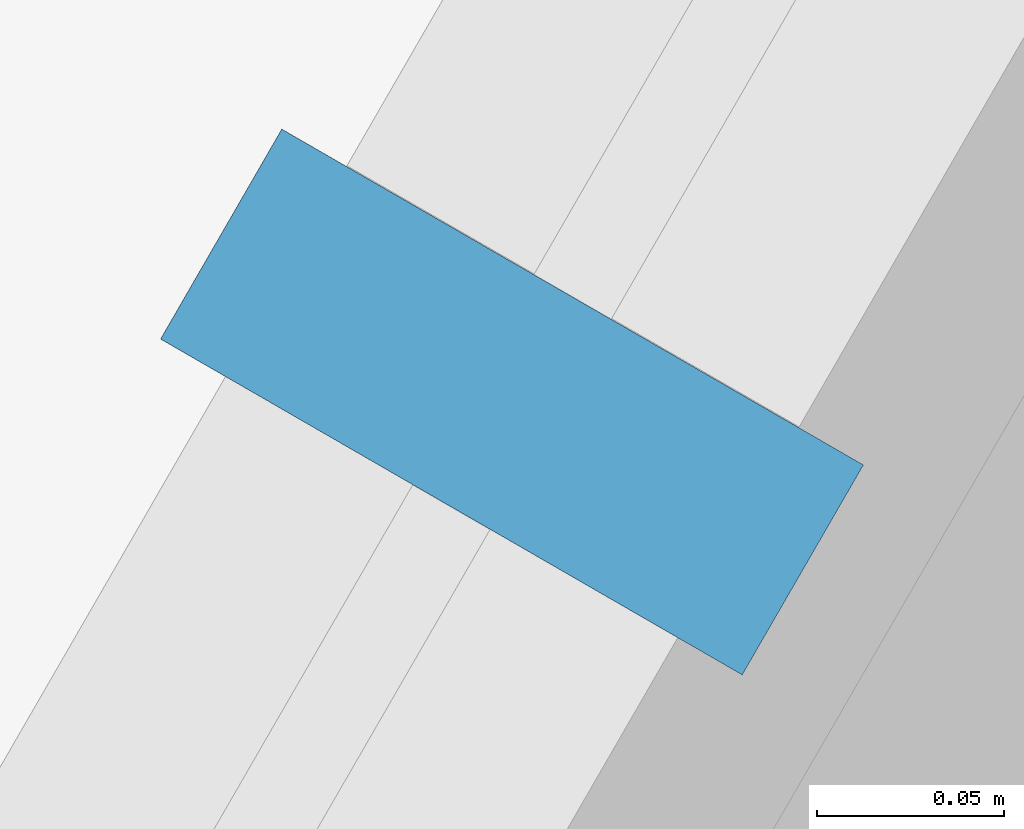
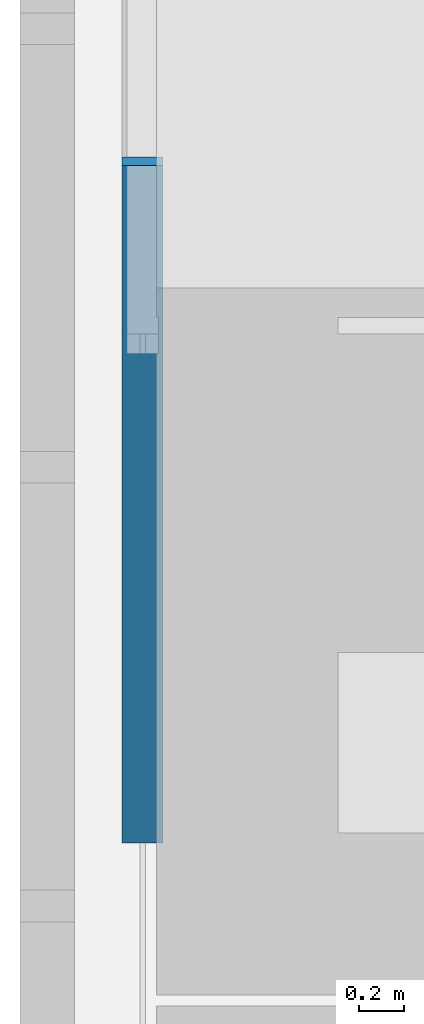
# One storey, part 147 of 256: 1 member, 1 element without a shape of its own.
"""IFC4 building model written with IfcOpenShell, lengths in metres."""

from ifc_helpers import new_model, si_unit, direction, frame, origin, origin_2d, place, context, subcontext, project, spatial, rectangle, extrude, material, material_profile, profile_set, type_object, element, aggregate, save


model = new_model("IFC4")

# Units and contexts
model_context = context("Model", 3, precision=1e-05, world=origin(), true_north=direction((0.0, 1.0)))
body_context = subcontext(model_context, "Body", "Model", "MODEL_VIEW")
ifc_project = project(units=[si_unit("LENGTHUNIT", "METRE"), si_unit("AREAUNIT", "SQUARE_METRE"), si_unit("VOLUMEUNIT", "CUBIC_METRE"), si_unit("PLANEANGLEUNIT", "RADIAN"), si_unit("MASSUNIT", "GRAM", prefix="KILO")], contexts=[model_context])

# Site, building, storey
site_placement = place(None, origin())
site = spatial("IfcSite", under=ifc_project, at=site_placement, CompositionType="ELEMENT")
building_placement = place(site_placement, origin())
building = spatial("IfcBuilding", under=site, at=building_placement, Name="Sandreach Pilgrim Tower", CompositionType="ELEMENT")
storey_placement = place(building_placement, frame((0.0, 0.0, 23.0)))
storey = spatial("IfcBuildingStorey", under=building, at=storey_placement, Name="L04", CompositionType="ELEMENT", Elevation=23.0)

# Curtain wall, member
ifc_material_1 = material(Name="Aluminium framed curtain wall", Category="aluminium")
curtain_wall_type = type_object("IfcCurtainWallType", Name="Hostel tower curtain wall", PredefinedType="NOTDEFINED", material=ifc_material_1)
curtain_wall_placement = place(storey_placement, origin())
curtain_wall = element("IfcCurtainWall", 1, at=curtain_wall_placement, inside=storey, type_object=curtain_wall_type, Name="CW-1 L04 NW", PredefinedType="NOTDEFINED")
ifc_material_2 = material(Name="Aluminium extrusion", Category="aluminium")
ifc_material_profile = material_profile(ifc_material_2, rectangle(XDim=0.06494140625, YDim=0.179931640625, at=origin_2d()), Name="CW-1M 65X180")
ifc_profile_set = profile_set([ifc_material_profile], Name="Aluminium extrusion")
member_type = type_object("IfcMemberType", Name="CW-1 mullion", PredefinedType="MULLION", material=ifc_profile_set)
member_placement = place(storey_placement, frame((-25.990234375, 15.00537109375, 0.0), z_axis=(0.0, 0.0, 1.0), x_axis=(0.5, 0.866025403784, 0.0)))
member = element("IfcMember", 2, at=member_placement, type_object=member_type, Name="CW-1 mullion 3", PredefinedType="MULLION", context=body_context, shape_type="SweptSolid", body=[
    extrude(rectangle(XDim=0.06494140625, YDim=0.179931640625, at=origin_2d()), origin(), (0.0, 0.0, 1.0), 3.639892578125),
])
aggregate(curtain_wall, [member])

save(model, "model.ifc")
